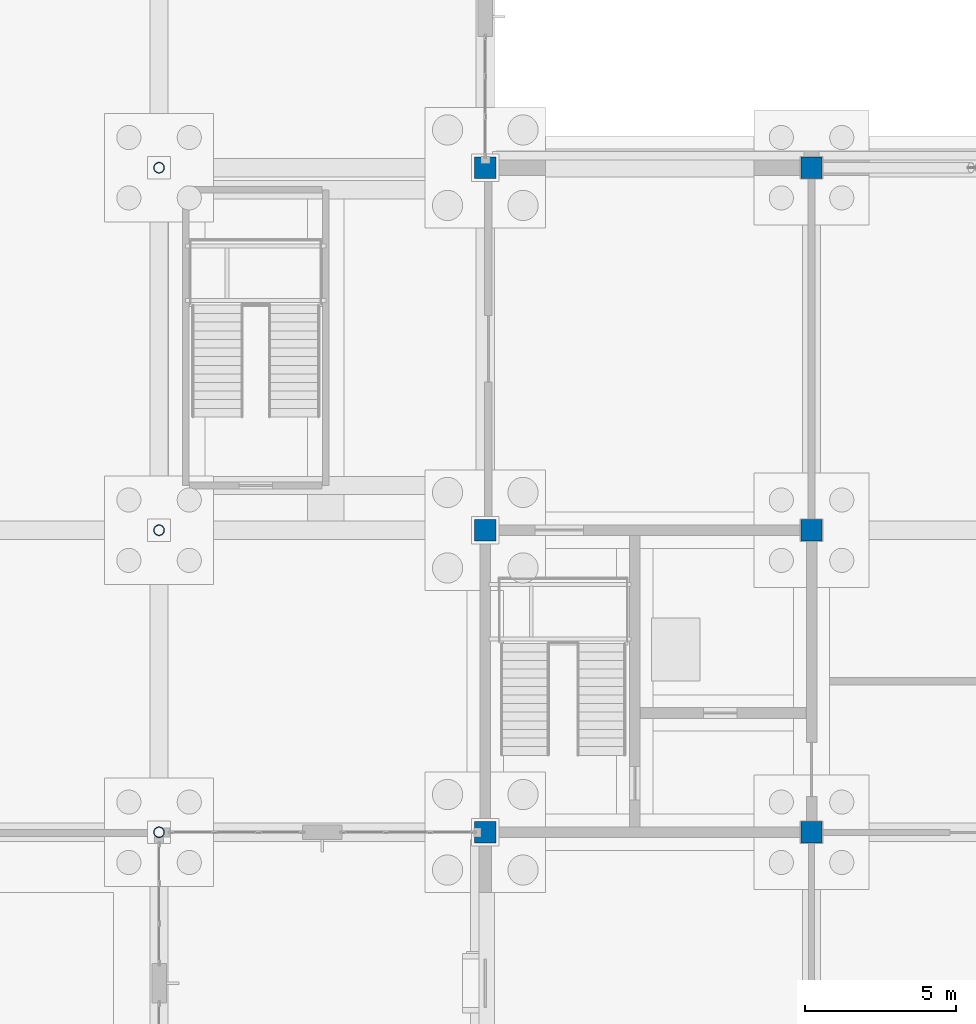
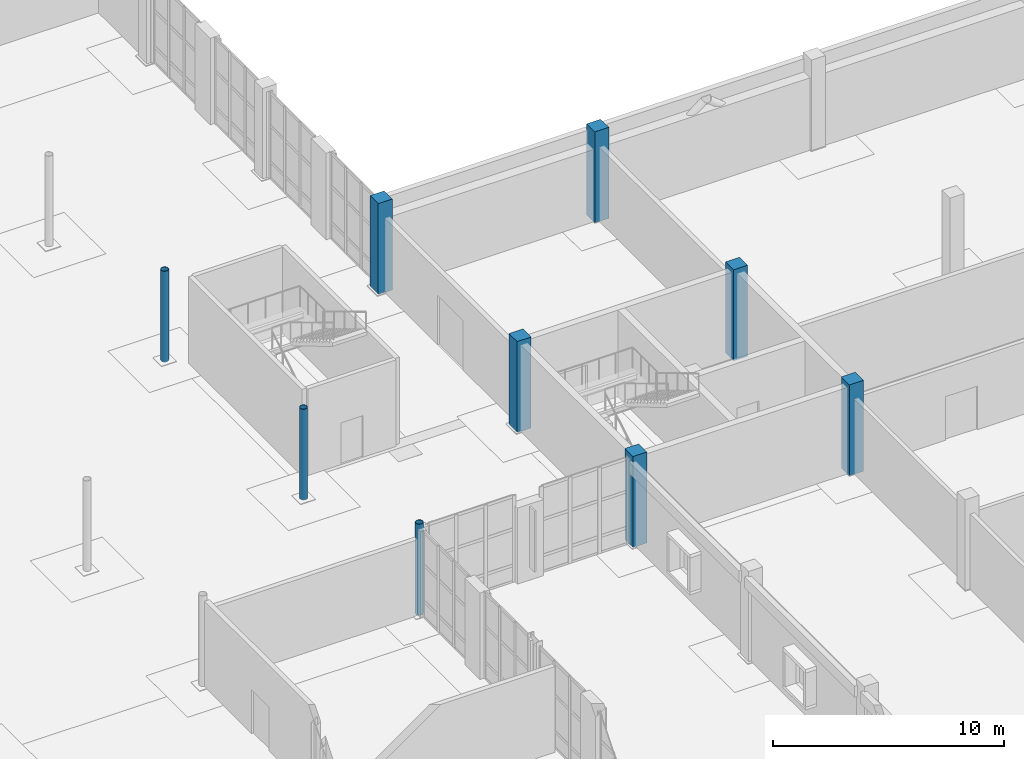
# One storey, part 14 of 73: 9 columns.
"""IFC4 building model written with IfcOpenShell, lengths in metres."""

from ifc_helpers import new_model, si_unit, direction, frame, origin, origin_2d, place, context, subcontext, project, spatial, rectangle, hollow_circle, extrude, material, material_profile, profile_set, type_object, element, save


model = new_model("IFC4")

# Units and contexts
model_context = context("Model", 3, precision=1e-05, world=origin(), true_north=direction((0.0, 1.0)))
body_context = subcontext(model_context, "Body", "Model", "MODEL_VIEW")
ifc_project = project(units=[si_unit("LENGTHUNIT", "METRE"), si_unit("AREAUNIT", "SQUARE_METRE"), si_unit("VOLUMEUNIT", "CUBIC_METRE"), si_unit("PLANEANGLEUNIT", "RADIAN"), si_unit("MASSUNIT", "GRAM", prefix="KILO")], contexts=[model_context])

# Site, building, storey
site_placement = place(None, origin())
site = spatial("IfcSite", under=ifc_project, at=site_placement, CompositionType="ELEMENT")
building_placement = place(site_placement, origin())
building = spatial("IfcBuilding", under=site, at=building_placement, Name="Tasgan Crest Museum", CompositionType="ELEMENT")
storey_placement = place(building_placement, origin())
storey = spatial("IfcBuildingStorey", under=building, at=storey_placement, Name="L00", CompositionType="ELEMENT", Elevation=0.0)

# Columns
ifc_material_1 = material(Name="Steel S355K2", Category="steel")
ifc_material_profile_1 = material_profile(ifc_material_1, hollow_circle(Radius=0.177734375, WallThickness=0.01611328125, at=origin_2d()), Name="CHS 355.6x16")
ifc_profile_set_1 = profile_set([ifc_material_profile_1], Name="Steel S355K2")
column_type_1 = type_object("IfcColumnType", Name="COL-CHS355", PredefinedType="COLUMN", material=ifc_profile_set_1)
for number, where, z_axis, x_axis, name in (
    (1, (97.199951171875, 40.0, 0.0), (0.0, 0.0, 1.0), (1.0, 0.0, 0.0), "Column 10/E L00"),
    (2, (97.199951171875, 50.0, 0.0), (0.0, 0.0, 1.0), (1.0, 0.0, 0.0), "Column 10/F L00"),
    (3, (97.199951171875, 62.0, 0.0), (0.0, 0.0, 1.0), (1.0, 0.0, 0.0), "Column 10/G L00"),
):
    element("IfcColumn", number, at=place(storey_placement, frame(where, z_axis=z_axis, x_axis=x_axis)), inside=storey, type_object=column_type_1, Name=name, PredefinedType="COLUMN", context=body_context, shape_type="SweptSolid", body=[
        extrude(hollow_circle(Radius=0.177734375, WallThickness=0.01611328125, at=origin_2d()), origin(), (0.0, 0.0, 1.0), 4.800048828125),
    ])
ifc_material_2 = material(Name="Concrete C40/50", Category="concrete")
ifc_material_profile_2 = material_profile(ifc_material_2, rectangle(XDim=0.699951171875, YDim=0.699951171875, at=origin_2d()), Name="RC 700x700")
ifc_profile_set_2 = profile_set([ifc_material_profile_2], Name="Concrete C40/50")
column_type_2 = type_object("IfcColumnType", Name="COL-RC700", PredefinedType="COLUMN", material=ifc_profile_set_2)
for number, where, z_axis, x_axis, name in (
    (4, (108.0, 40.0, 0.0), (0.0, 0.0, 1.0), (1.0, 0.0, 0.0), "Column 11/E L00"),
    (5, (108.0, 50.0, 0.0), (0.0, 0.0, 1.0), (1.0, 0.0, 0.0), "Column 11/F L00"),
    (6, (108.0, 62.0, 0.0), (0.0, 0.0, 1.0), (1.0, 0.0, 0.0), "Column 11/G L00"),
    (7, (118.800048828125, 40.0, 0.0), (0.0, 0.0, 1.0), (1.0, 0.0, 0.0), "Column 12/E L00"),
    (8, (118.800048828125, 50.0, 0.0), (0.0, 0.0, 1.0), (1.0, 0.0, 0.0), "Column 12/F L00"),
    (9, (118.800048828125, 62.0, 0.0), (0.0, 0.0, 1.0), (1.0, 0.0, 0.0), "Column 12/G L00"),
):
    element("IfcColumn", number, at=place(storey_placement, frame(where, z_axis=z_axis, x_axis=x_axis)), inside=storey, type_object=column_type_2, Name=name, PredefinedType="COLUMN", context=body_context, shape_type="SweptSolid", body=[
        extrude(rectangle(XDim=0.699951171875, YDim=0.699951171875, at=origin_2d()), origin(), (0.0, 0.0, 1.0), 4.800048828125),
    ])

save(model, "model.ifc")
